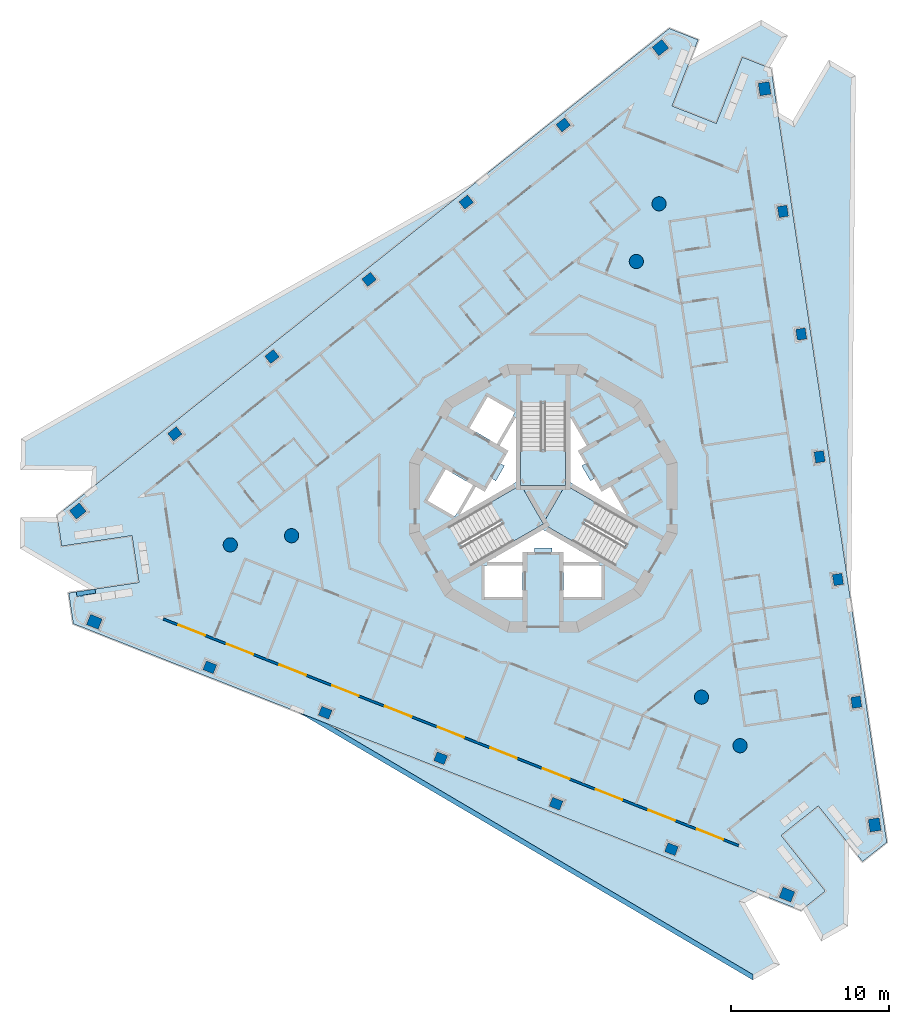
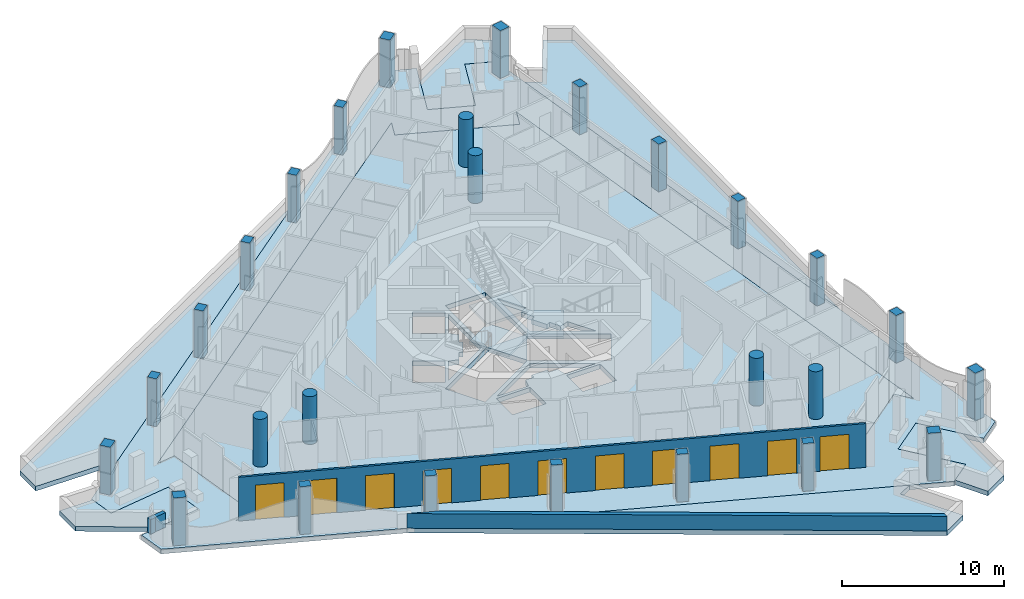
# One storey, part 1 of 16: 27 columns, 12 slabs, 11 doors, 3 walls, 11 openings, 3 elements without a shape of their own.
"""IFC4 building model written with IfcOpenShell, lengths in metres."""

from ifc_helpers import new_model, si_unit, direction, frame, frame_2d, origin, origin_2d, place, context, subcontext, project, spatial, polyline, rectangle, circle, outline, extrude, material, layer, layer_set, material_profile, profile_set, type_object, element, fill, aggregate, save


model = new_model("IFC4")

# Units and contexts
model_context = context("Model", 3, precision=1e-05, world=origin(), true_north=direction((0.0, 1.0)))
body_context = subcontext(model_context, "Body", "Model", "MODEL_VIEW")
ifc_project = project(units=[si_unit("LENGTHUNIT", "METRE"), si_unit("AREAUNIT", "SQUARE_METRE"), si_unit("VOLUMEUNIT", "CUBIC_METRE"), si_unit("PLANEANGLEUNIT", "RADIAN"), si_unit("MASSUNIT", "GRAM", prefix="KILO")], contexts=[model_context])

# Site, building, storey
site_placement = place(None, origin())
site = spatial("IfcSite", under=ifc_project, at=site_placement, CompositionType="ELEMENT")
building_placement = place(site_placement, origin())
building = spatial("IfcBuilding", under=site, at=building_placement, Name="Trine Commons Tower", CompositionType="ELEMENT")
storey_placement = place(building_placement, frame((0.0, 0.0, 198.0)))
storey = spatial("IfcBuildingStorey", under=building, at=storey_placement, Name="L51", CompositionType="ELEMENT", Elevation=198.0)

# Columns
ifc_material_1 = material(Name="Concrete C60/75", Category="concrete")
ifc_material_profile_1 = material_profile(ifc_material_1, rectangle(XDim=0.699951171875, YDim=0.60009765625, at=origin_2d()), Name="RC 700x600")
ifc_profile_set_1 = profile_set([ifc_material_profile_1], Name="Concrete C60/75")
column_type_1 = type_object("IfcColumnType", Name="RC column 700x600, C60/75", PredefinedType="COLUMN", material=ifc_profile_set_1)
for number, where, z_axis, x_axis, name in (
    (1, (88.125, 40.285888671875, -0.35009765625), (0.0, 0.0, 1.0), (-0.930417567982, 0.366501226724, 0.0), "Column PC6-02 L51"),
    (2, (80.82080078125, 43.1630859375, -0.35009765625), (0.0, 0.0, 1.0), (-0.930417567982, 0.366501226724, 0.0), "Column PC6-03 L51"),
    (3, (73.516357421875, 46.04052734375, -0.35009765625), (0.0, 0.0, 1.0), (-0.930417567982, 0.366501226724, 0.0), "Column PC6-04 L51"),
    (4, (66.212158203125, 48.917724609375, -0.35009765625), (0.0, 0.0, 1.0), (-0.930417567982, 0.366501226724, 0.0), "Column PC6-05 L51"),
    (5, (58.90771484375, 51.794921875, -0.35009765625), (0.0, 0.0, 1.0), (-0.930417567982, 0.366501226724, 0.0), "Column PC6-06 L51"),
    (6, (56.699462890625, 66.570556640625, -0.35009765625), (0.0, 0.0, 1.0), (0.782608156852, 0.622514636638, 0.0), "Column PC6-09 L51"),
    (7, (62.843505859375, 71.45751953125, -0.35009765625), (0.0, 0.0, 1.0), (0.782608156852, 0.622514636638, 0.0), "Column PC6-10 L51"),
    (8, (68.9873046875, 76.3447265625, -0.35009765625), (0.0, 0.0, 1.0), (0.782608156852, 0.622514636638, 0.0), "Column PC6-11 L51"),
    (9, (75.13134765625, 81.231689453125, -0.35009765625), (0.0, 0.0, 1.0), (0.782608156852, 0.622514636638, 0.0), "Column PC6-12 L51"),
    (10, (81.275390625, 86.118896484375, -0.35009765625), (0.0, 0.0, 1.0), (0.782608156852, 0.622514636638, 0.0), "Column PC6-13 L51"),
    (11, (95.17529296875, 80.6435546875, -0.35009765625), (0.0, 0.0, 1.0), (-0.14780941113, 0.989015863362, 0.0), "Column PC6-16 L51"),
    (12, (96.335693359375, 72.879150390625, -0.35009765625), (0.0, 0.0, 1.0), (-0.14780941113, 0.989015863362, 0.0), "Column PC6-17 L51"),
    (13, (97.49609375, 65.11474609375, -0.35009765625), (0.0, 0.0, 1.0), (-0.14780941113, 0.989015863362, 0.0), "Column PC6-18 L51"),
    (14, (98.656494140625, 57.350341796875, -0.35009765625), (0.0, 0.0, 1.0), (-0.14780941113, 0.989015863362, 0.0), "Column PC6-19 L51"),
    (15, (99.81689453125, 49.586181640625, -0.35009765625), (0.0, 0.0, 1.0), (-0.14780941113, 0.989015863362, 0.0), "Column PC6-20 L51"),
):
    element("IfcColumn", number, at=place(storey_placement, frame(where, z_axis=z_axis, x_axis=x_axis)), inside=storey, type_object=column_type_1, Name=name, PredefinedType="COLUMN", context=body_context, shape_type="SweptSolid", body=[
        extrude(rectangle(XDim=0.699951171875, YDim=0.60009765625, at=origin_2d()), origin(), (0.0, 0.0, 1.0), 3.9501953125),
    ])
ifc_material_profile_2 = material_profile(ifc_material_1, rectangle(XDim=0.800048828125, YDim=0.699951171875, at=origin_2d()), Name="RC 800x700")
ifc_profile_set_2 = profile_set([ifc_material_profile_2], Name="Concrete C60/75")
column_type_2 = type_object("IfcColumnType", Name="RC column 800x700, C60/75", PredefinedType="COLUMN", material=ifc_profile_set_2)
for number, where, z_axis, x_axis, name in (
    (16, (95.429443359375, 37.40869140625, -0.35009765625), (0.0, 0.0, 1.0), (-0.930417567982, 0.366501226724, 0.0), "Column PC6-01 L51"),
    (17, (51.603515625, 54.67236328125, -0.35009765625), (0.0, 0.0, 1.0), (-0.930417567982, 0.366501226724, 0.0), "Column PC6-07 L51"),
    (18, (50.5556640625, 61.683349609375, -0.35009765625), (0.0, 0.0, 1.0), (0.782608156852, 0.622514636638, 0.0), "Column PC6-08 L51"),
    (19, (87.419189453125, 91.006103515625, -0.35009765625), (0.0, 0.0, 1.0), (0.782608156852, 0.622514636638, 0.0), "Column PC6-14 L51"),
    (20, (94.014892578125, 88.407958984375, -0.35009765625), (0.0, 0.0, 1.0), (-0.14780941113, 0.989015863362, 0.0), "Column PC6-15 L51"),
    (21, (100.977294921875, 41.82177734375, -0.35009765625), (0.0, 0.0, 1.0), (-0.14780941113, 0.989015863362, 0.0), "Column PC6-21 L51"),
):
    element("IfcColumn", number, at=place(storey_placement, frame(where, z_axis=z_axis, x_axis=x_axis)), inside=storey, type_object=column_type_2, Name=name, PredefinedType="COLUMN", context=body_context, shape_type="SweptSolid", body=[
        extrude(rectangle(XDim=0.800048828125, YDim=0.699951171875, at=origin_2d()), origin(), (0.0, 0.0, 1.0), 3.9501953125),
    ])
ifc_material_profile_3 = material_profile(ifc_material_1, circle(Radius=0.449951171875, at=origin_2d()), Name="RC round 900")
ifc_profile_set_3 = profile_set([ifc_material_profile_3], Name="Concrete C60/75")
column_type_3 = type_object("IfcColumnType", Name="RC round column 900 mm, C60/75", PredefinedType="COLUMN", material=ifc_profile_set_3)
for number, where, z_axis, x_axis, name in (
    (22, (90.018798828125, 49.90478515625, -0.35009765625), (0.0, 0.0, 1.0), (1.0, 0.0, 0.0), "Column WC6-1 L51"),
    (23, (92.461669921875, 46.83349609375, -0.35009765625), (0.0, 0.0, 1.0), (1.0, 0.0, 0.0), "Column WC6-2 L51"),
    (24, (85.8984375, 77.47412109375, -0.35009765625), (0.0, 0.0, 1.0), (1.0, 0.0, 0.0), "Column WC6-3 L51"),
    (25, (87.336669921875, 81.125244140625, -0.35009765625), (0.0, 0.0, 1.0), (1.0, 0.0, 0.0), "Column WC6-4 L51"),
    (26, (64.082763671875, 60.12109375, -0.35009765625), (0.0, 0.0, 1.0), (1.0, 0.0, 0.0), "Column WC6-5 L51"),
    (27, (60.20166015625, 59.541015625, -0.35009765625), (0.0, 0.0, 1.0), (1.0, 0.0, 0.0), "Column WC6-6 L51"),
):
    element("IfcColumn", number, at=place(storey_placement, frame(where, z_axis=z_axis, x_axis=x_axis)), inside=storey, type_object=column_type_3, Name=name, PredefinedType="COLUMN", context=body_context, shape_type="SweptSolid", body=[
        extrude(circle(Radius=0.449951171875, at=origin_2d()), origin(), (0.0, 0.0, 1.0), 3.9501953125),
    ])

# Slabs
ifc_material_2 = material(Name="Concrete C40/50", Category="concrete")
ifc_layer_1 = layer(ifc_material_2, 0.35009765625)
ifc_layer_set_1 = layer_set([ifc_layer_1], Name="Concrete C40/50")
slab_type_1 = type_object("IfcSlabType", Name="Loggia slab 350 mm, C40/50", PredefinedType="FLOOR", material=ifc_layer_set_1)
slab_1_placement = place(storey_placement, frame((0.0, 0.0, -0.35009765625)))
element("IfcSlab", 28, at=slab_1_placement, inside=storey, type_object=slab_type_1, Name="Loggia slab L51", PredefinedType="FLOOR", context=body_context, shape_type="SweptSolid", body=[
    extrude(outline(polyline([(101.748046875, 40.7236328125), (94.430908203125, 89.683349609375), (92.603515625, 90.4033203125), (90.954345703125, 86.21630859375), (88.1630859375, 87.31591796875), (89.812255859375, 91.502685546875), (87.98486328125, 92.22265625), (49.242919921875, 61.406005859375), (49.533203125, 59.46337890625), (53.98388671875, 60.12841796875), (54.42724609375, 57.16162109375), (49.976806640625, 56.496337890625), (50.26708984375, 54.5537109375), (96.325927734375, 36.41064453125), (97.86328125, 37.63330078125), (95.061767578125, 41.155029296875), (97.40966796875, 43.022705078125), (100.2109375, 39.5009765625), (101.748046875, 40.7236328125)]), holes=[polyline([(56.002685546875, 62.85693359375), (57.15576171875, 55.142578125), (55.825439453125, 54.94384765625), (92.52685546875, 40.48681640625), (91.689453125, 41.539306640625), (97.7939453125, 46.39501953125), (98.631103515625, 45.34228515625), (92.80078125, 84.355224609375), (92.3076171875, 83.103759765625), (85.050537109375, 85.96240234375), (85.54345703125, 87.2138671875), (54.672607421875, 62.658203125), (56.002685546875, 62.85693359375)])]), origin(), (0.0, 0.0, 1.0), 0.35009765625),
])
ifc_layer_2 = layer(ifc_material_2, 0.35009765625)
ifc_layer_set_2 = layer_set([ifc_layer_2], Name="Concrete C40/50")
slab_type_2 = type_object("IfcSlabType", Name="PT flat slab 350 mm, C40/50", PredefinedType="FLOOR", material=ifc_layer_set_2)
slab_2_placement = place(storey_placement, frame((0.0, 0.0, -0.35009765625)))
element("IfcSlab", 29, at=slab_2_placement, inside=storey, type_object=slab_type_2, Name="Floor slab L51", PredefinedType="FLOOR", context=body_context, shape_type="SweptSolid", body=[
    extrude(outline(polyline([(54.672607421875, 62.658203125), (56.002685546875, 62.85693359375), (57.15576171875, 55.142578125), (55.825439453125, 54.94384765625), (92.52685546875, 40.48681640625), (91.689453125, 41.539306640625), (97.7939453125, 46.39501953125), (98.631103515625, 45.34228515625), (92.80078125, 84.355224609375), (92.3076171875, 83.103759765625), (85.050537109375, 85.96240234375), (85.54345703125, 87.2138671875), (54.672607421875, 62.658203125)]), holes=[polyline([(78.699951171875, 56.25), (78.699951171875, 58.25), (76.300048828125, 58.25), (76.300048828125, 56.25), (78.699951171875, 56.25)]), polyline([(83.699951171875, 56.25), (83.699951171875, 58.25), (81.300048828125, 58.25), (81.300048828125, 56.25), (83.699951171875, 56.25)]), polyline([(81.300048828125, 58.449951171875), (83.56494140625, 58.449951171875), (80.0, 60.508056640625), (76.43505859375, 58.449951171875), (78.699951171875, 58.449951171875), (78.85009765625, 59.10009765625), (79.449951171875, 59.10009765625), (79.449951171875, 59.360107421875), (80.550048828125, 59.360107421875), (80.550048828125, 59.10009765625), (81.14990234375, 59.10009765625), (81.300048828125, 58.449951171875)]), polyline([(81.425048828125, 63.32275390625), (81.425048828125, 68.490478515625), (78.574951171875, 68.490478515625), (78.574951171875, 63.32275390625), (74.099609375, 60.73876953125), (75.5244140625, 58.2705078125), (80.0, 60.8544921875), (84.4755859375, 58.2705078125), (85.900390625, 60.73876953125), (81.425048828125, 63.32275390625)]), polyline([(72.687255859375, 62.333984375), (74.41943359375, 61.333984375), (75.5693359375, 63.325927734375), (73.83740234375, 64.325927734375), (72.687255859375, 62.333984375)]), polyline([(76.381103515625, 63.031005859375), (75.742919921875, 63.22607421875), (74.7099609375, 61.43798828125), (78.27490234375, 63.49609375), (78.27490234375, 67.612060546875), (77.242919921875, 65.823974609375), (77.73095703125, 65.368896484375), (77.3310546875, 64.676025390625), (77.555908203125, 64.5458984375), (77.006103515625, 63.593994140625), (76.781005859375, 63.722900390625), (76.381103515625, 63.031005859375)]), polyline([(82.993896484375, 63.593994140625), (82.444091796875, 64.5458984375), (82.72705078125, 64.7099609375), (82.281005859375, 65.549072265625), (82.757080078125, 65.823974609375), (81.72509765625, 67.612060546875), (81.72509765625, 63.49609375), (85.2900390625, 61.43798828125), (84.257080078125, 63.22607421875), (83.618896484375, 63.031005859375), (83.243896484375, 63.738037109375), (82.993896484375, 63.593994140625)]), polyline([(76.4873046875, 68.916015625), (75.33740234375, 66.924072265625), (77.0693359375, 65.924072265625), (78.219482421875, 67.916015625), (76.4873046875, 68.916015625)])]), origin(), (0.0, 0.0, 1.0), 0.35009765625),
])
slab_3_placement = place(storey_placement, frame((0.0, 0.0, -0.35009765625)))
element("IfcSlab", 30, at=slab_3_placement, inside=storey, type_object=slab_type_2, Name="Floor slab L51 2", PredefinedType="FLOOR", context=body_context, shape_type="SweptSolid", body=[
    extrude(outline(polyline([(81.38671875, 63.300537109375), (78.61328125, 63.300537109375), (80.0, 60.89892578125), (81.38671875, 63.300537109375)])), origin(), (0.0, 0.0, 1.0), 0.35009765625),
])
ifc_layer_3 = layer(ifc_material_2, 0.35009765625)
ifc_layer_set_3 = layer_set([ifc_layer_3], Name="Concrete C40/50")
slab_type_3 = type_object("IfcSlabType", Name="Roof slab 350 mm, C40/50", PredefinedType="ROOF", material=ifc_layer_set_3)
slab_4_placement = place(storey_placement, frame((0.0, 0.0, -0.35009765625)))
element("IfcSlab", 31, at=slab_4_placement, inside=storey, type_object=slab_type_3, Name="Roof slab L51 1", PredefinedType="ROOF", context=body_context, shape_type="SweptSolid", body=[
    extrude(outline(polyline([(51.349365234375, 56.701416015625), (54.42724609375, 57.16162109375), (53.98388671875, 60.12841796875), (49.533203125, 59.46337890625), (49.263427734375, 61.268310546875), (46.9130859375, 61.288818359375), (46.89599609375, 59.32470703125), (51.349365234375, 56.701416015625)])), origin(), (0.0, 0.0, 1.0), 0.35009765625),
])
slab_5_placement = place(storey_placement, frame((0.0, 0.0, -0.35009765625)))
element("IfcSlab", 32, at=slab_5_placement, inside=storey, type_object=slab_type_3, Name="Roof slab L51 2", PredefinedType="ROOF", context=body_context, shape_type="SweptSolid", body=[
    extrude(outline(polyline([(51.429443359375, 63.14501953125), (75.979248046875, 82.673095703125), (46.956298828125, 66.252685546875), (46.939208984375, 64.28857421875), (51.439208984375, 64.249267578125), (51.429443359375, 63.14501953125)])), origin(), (0.0, 0.0, 1.0), 0.35009765625),
])
slab_6_placement = place(storey_placement, frame((0.0, 0.0, -0.35009765625)))
element("IfcSlab", 33, at=slab_6_placement, inside=storey, type_object=slab_type_3, Name="Roof slab L51 3", PredefinedType="ROOF", context=body_context, shape_type="SweptSolid", body=[
    extrude(outline(polyline([(93.7265625, 37.4345703125), (64.5400390625, 48.931396484375), (93.27197265625, 32.007080078125), (94.9814453125, 32.974365234375), (92.765380859375, 36.890869140625), (93.7265625, 37.4345703125)])), origin(), (0.0, 0.0, 1.0), 0.35009765625),
])
slab_7_placement = place(storey_placement, frame((0.0, 0.0, -0.35009765625)))
element("IfcSlab", 34, at=slab_7_placement, inside=storey, type_object=slab_type_3, Name="Roof slab L51 4", PredefinedType="ROOF", context=body_context, shape_type="SweptSolid", body=[
    extrude(outline(polyline([(89.3037109375, 90.21142578125), (88.1630859375, 87.31591796875), (90.954345703125, 86.21630859375), (92.603515625, 90.4033203125), (94.301513671875, 89.734619140625), (95.494384765625, 91.759765625), (93.802001953125, 92.756591796875), (89.3037109375, 90.21142578125)])), origin(), (0.0, 0.0, 1.0), 0.35009765625),
])
slab_8_placement = place(storey_placement, frame((0.0, 0.0, -0.35009765625)))
element("IfcSlab", 35, at=slab_8_placement, inside=storey, type_object=slab_type_3, Name="Roof slab L51 5", PredefinedType="ROOF", context=body_context, shape_type="SweptSolid", body=[
    extrude(outline(polyline([(99.302001953125, 35.418701171875), (99.346923828125, 40.5869140625), (97.40966796875, 43.022705078125), (95.061767578125, 41.155029296875), (97.86328125, 37.63330078125), (96.43505859375, 36.497314453125), (97.592529296875, 34.45166015625), (99.302001953125, 35.418701171875)])), origin(), (0.0, 0.0, 1.0), 0.35009765625),
])
slab_9_placement = place(storey_placement, frame((0.0, 0.0, -0.35009765625)))
element("IfcSlab", 36, at=slab_9_placement, inside=storey, type_object=slab_type_3, Name="Roof slab L51 6", PredefinedType="ROOF", context=body_context, shape_type="SweptSolid", body=[
    extrude(outline(polyline([(94.843994140625, 86.920166015625), (99.480712890625, 55.8955078125), (99.771484375, 89.240234375), (98.079345703125, 90.237060546875), (95.79541015625, 86.35986328125), (94.843994140625, 86.920166015625)])), origin(), (0.0, 0.0, 1.0), 0.35009765625),
])

# Stair, slab
ifc_material_3 = material(Name="Concrete C50/60", Category="concrete")
stair_type = type_object("IfcStairType", Name="Exit stair, dog-leg, 24 risers of 150 mm", PredefinedType="HALF_TURN_STAIR", material=ifc_material_3)
stair_1_placement = place(storey_placement, origin())
stair_1 = element("IfcStair", 37, at=stair_1_placement, inside=storey, type_object=stair_type, Name="L51 Exit stair ST1C", PredefinedType="HALF_TURN_STAIR")
ifc_layer_4 = layer(ifc_material_3, 0.199951171875)
ifc_layer_set_4 = layer_set([ifc_layer_4], Name="Concrete C50/60")
slab_type_4 = type_object("IfcSlabType", Name="Stair landing slab 200 mm, C50/60", PredefinedType="LANDING", material=ifc_layer_set_4)
slab_10_placement = place(storey_placement, frame((0.0, 0.0, 1.60009765625)))
slab_10 = element("IfcSlab", 38, at=slab_10_placement, type_object=slab_type_4, Name="ST1C landing 1", PredefinedType="LANDING", context=body_context, shape_type="SweptSolid", body=[
    extrude(outline(polyline([(78.574951171875, 65.570556640625), (78.574951171875, 63.300537109375), (81.425048828125, 63.300537109375), (81.425048828125, 65.570556640625), (78.574951171875, 65.570556640625)])), origin(), (0.0, 0.0, 1.0), 0.199951171875),
])
aggregate(stair_1, [slab_10])

stair_2_placement = place(storey_placement, origin())
stair_2 = element("IfcStair", 39, at=stair_2_placement, inside=storey, type_object=stair_type, Name="L51 Exit stair ST2C", PredefinedType="HALF_TURN_STAIR")
slab_11_placement = place(storey_placement, frame((0.0, 0.0, 1.60009765625)))
slab_11 = element("IfcSlab", 40, at=slab_11_placement, type_object=slab_type_4, Name="ST2C landing 1", PredefinedType="LANDING", context=body_context, shape_type="SweptSolid", body=[
    extrude(outline(polyline([(78.05322265625, 59.730712890625), (80.019287109375, 60.86572265625), (78.59423828125, 63.333740234375), (76.628173828125, 62.19873046875), (78.05322265625, 59.730712890625)])), origin(), (0.0, 0.0, 1.0), 0.199951171875),
])
aggregate(stair_2, [slab_11])

stair_3_placement = place(storey_placement, origin())
stair_3 = element("IfcStair", 41, at=stair_3_placement, inside=storey, type_object=stair_type, Name="L51 Exit stair ST3C", PredefinedType="HALF_TURN_STAIR")
slab_12_placement = place(storey_placement, frame((0.0, 0.0, 1.60009765625)))
slab_12 = element("IfcSlab", 42, at=slab_12_placement, type_object=slab_type_4, Name="ST3C landing 1", PredefinedType="LANDING", context=body_context, shape_type="SweptSolid", body=[
    extrude(outline(polyline([(83.371826171875, 62.19873046875), (81.40576171875, 63.333740234375), (79.980712890625, 60.86572265625), (81.94677734375, 59.730712890625), (83.371826171875, 62.19873046875)])), origin(), (0.0, 0.0, 1.0), 0.199951171875),
])
aggregate(stair_3, [slab_12])

# Wall, openings, doors
ifc_material_4 = material(Name="Aluminium-framed insulated wall panel", Category="aluminium")
ifc_layer_5 = layer(ifc_material_4, 0.14990234375)
ifc_layer_set_5 = layer_set([ifc_layer_5], Name="Aluminium-framed insulated wall panel")
wall_type_1 = type_object("IfcWallType", Name="Glazed frame wall 150, EI 60", PredefinedType="SOLIDWALL", material=ifc_layer_set_5)
wall_1_placement = place(storey_placement, frame((92.513916015625, 40.4541015625, 0.0), z_axis=(0.0, 0.0, 1.0), x_axis=(-0.930417922313, 0.3665003272, 0.0)))
wall_1 = element("IfcWall", 43, at=wall_1_placement, inside=storey, type_object=wall_type_1, Name="Glazed frame wall F3", PredefinedType="SOLIDWALL", context=body_context, shape_type="SweptSolid", body=[
    extrude(outline(polyline([(0.1494140625, 0.074951171875), (0.1494140625, -0.074951171875), (39.296875, -0.074951171875), (39.296875, 0.074951171875), (0.1494140625, 0.074951171875)])), origin(), (0.0, 0.0, 1.0), 3.300048828125),
])
opening_1_placement = place(wall_1_placement, frame((1.193115234375, 0.0, 0.0)))
opening_1 = element("IfcOpeningElement", 44, at=opening_1_placement, cuts=wall_1, Name="Opening BD-6F3-01", PredefinedType="OPENING", context=body_context, shape_type="SweptSolid", body=[
    extrude(rectangle(XDim=1.800048828125, YDim=2.60009765625, at=frame_2d((0.89990234375, 1.300048828125))), frame((0.0, 0.0849609375, 0.0), z_axis=(0.0, -1.0, 0.0), x_axis=(1.0, 0.0, 0.0)), (0.0, 0.0, 1.0), 0.169921875),
])
opening_2_placement = place(wall_1_placement, frame((4.47900390625, 0.0, 0.0)))
opening_2 = element("IfcOpeningElement", 45, at=opening_2_placement, cuts=wall_1, Name="Opening BD-6F3-02", PredefinedType="OPENING", context=body_context, shape_type="SweptSolid", body=[
    extrude(rectangle(XDim=1.800048828125, YDim=2.60009765625, at=frame_2d((0.89990234375, 1.300048828125))), frame((0.0, 0.0849609375, 0.0), z_axis=(0.0, -1.0, 0.0), x_axis=(1.0, 0.0, 0.0)), (0.0, 0.0, 1.0), 0.169921875),
])
opening_3_placement = place(wall_1_placement, frame((8.06494140625, 0.0, 0.0)))
opening_3 = element("IfcOpeningElement", 46, at=opening_3_placement, cuts=wall_1, Name="Opening BD-6F3-03", PredefinedType="OPENING", context=body_context, shape_type="SweptSolid", body=[
    extrude(rectangle(XDim=1.800048828125, YDim=2.60009765625, at=frame_2d((0.89990234375, 1.300048828125))), frame((0.0, 0.0849609375, 0.0), z_axis=(0.0, -1.0, 0.0), x_axis=(1.0, 0.0, 0.0)), (0.0, 0.0, 1.0), 0.169921875),
])
opening_4_placement = place(wall_1_placement, frame((11.65087890625, 0.0, 0.0)))
opening_4 = element("IfcOpeningElement", 47, at=opening_4_placement, cuts=wall_1, Name="Opening BD-6F3-04", PredefinedType="OPENING", context=body_context, shape_type="SweptSolid", body=[
    extrude(rectangle(XDim=1.800048828125, YDim=2.60009765625, at=frame_2d((0.89990234375, 1.300048828125))), frame((0.0, 0.0849609375, 0.0), z_axis=(0.0, -1.0, 0.0), x_axis=(1.0, 0.0, 0.0)), (0.0, 0.0, 1.0), 0.169921875),
])
opening_5_placement = place(wall_1_placement, frame((15.237060546875, 0.0, 0.0)))
opening_5 = element("IfcOpeningElement", 48, at=opening_5_placement, cuts=wall_1, Name="Opening BD-6F3-05", PredefinedType="OPENING", context=body_context, shape_type="SweptSolid", body=[
    extrude(rectangle(XDim=1.800048828125, YDim=2.60009765625, at=frame_2d((0.89990234375, 1.300048828125))), frame((0.0, 0.0849609375, 0.0), z_axis=(0.0, -1.0, 0.0), x_axis=(1.0, 0.0, 0.0)), (0.0, 0.0, 1.0), 0.169921875),
])
opening_6_placement = place(wall_1_placement, frame((18.822998046875, 0.0, 0.0)))
opening_6 = element("IfcOpeningElement", 49, at=opening_6_placement, cuts=wall_1, Name="Opening BD-6F3-06", PredefinedType="OPENING", context=body_context, shape_type="SweptSolid", body=[
    extrude(rectangle(XDim=1.800048828125, YDim=2.60009765625, at=frame_2d((0.89990234375, 1.300048828125))), frame((0.0, 0.0849609375, 0.0), z_axis=(0.0, -1.0, 0.0), x_axis=(1.0, 0.0, 0.0)), (0.0, 0.0, 1.0), 0.169921875),
])
opening_7_placement = place(wall_1_placement, frame((22.408935546875, 0.0, 0.0)))
opening_7 = element("IfcOpeningElement", 50, at=opening_7_placement, cuts=wall_1, Name="Opening BD-6F3-07", PredefinedType="OPENING", context=body_context, shape_type="SweptSolid", body=[
    extrude(rectangle(XDim=1.800048828125, YDim=2.60009765625, at=frame_2d((0.89990234375, 1.300048828125))), frame((0.0, 0.0849609375, 0.0), z_axis=(0.0, -1.0, 0.0), x_axis=(1.0, 0.0, 0.0)), (0.0, 0.0, 1.0), 0.169921875),
])
opening_8_placement = place(wall_1_placement, frame((25.9951171875, 0.0, 0.0)))
opening_8 = element("IfcOpeningElement", 51, at=opening_8_placement, cuts=wall_1, Name="Opening BD-6F3-08", PredefinedType="OPENING", context=body_context, shape_type="SweptSolid", body=[
    extrude(rectangle(XDim=1.800048828125, YDim=2.60009765625, at=frame_2d((0.89990234375, 1.300048828125))), frame((0.0, 0.0849609375, 0.0), z_axis=(0.0, -1.0, 0.0), x_axis=(1.0, 0.0, 0.0)), (0.0, 0.0, 1.0), 0.169921875),
])
opening_9_placement = place(wall_1_placement, frame((29.5810546875, 0.0, 0.0)))
opening_9 = element("IfcOpeningElement", 52, at=opening_9_placement, cuts=wall_1, Name="Opening BD-6F3-09", PredefinedType="OPENING", context=body_context, shape_type="SweptSolid", body=[
    extrude(rectangle(XDim=1.800048828125, YDim=2.60009765625, at=frame_2d((0.89990234375, 1.300048828125))), frame((0.0, 0.0849609375, 0.0), z_axis=(0.0, -1.0, 0.0), x_axis=(1.0, 0.0, 0.0)), (0.0, 0.0, 1.0), 0.169921875),
])
opening_10_placement = place(wall_1_placement, frame((33.1669921875, 0.0, 0.0)))
opening_10 = element("IfcOpeningElement", 53, at=opening_10_placement, cuts=wall_1, Name="Opening BD-6F3-10", PredefinedType="OPENING", context=body_context, shape_type="SweptSolid", body=[
    extrude(rectangle(XDim=1.800048828125, YDim=2.60009765625, at=frame_2d((0.89990234375, 1.300048828125))), frame((0.0, 0.0849609375, 0.0), z_axis=(0.0, -1.0, 0.0), x_axis=(1.0, 0.0, 0.0)), (0.0, 0.0, 1.0), 0.169921875),
])
opening_11_placement = place(wall_1_placement, frame((36.452880859375, 0.0, 0.0)))
opening_11 = element("IfcOpeningElement", 54, at=opening_11_placement, cuts=wall_1, Name="Opening BD-6F3-11", PredefinedType="OPENING", context=body_context, shape_type="SweptSolid", body=[
    extrude(rectangle(XDim=1.800048828125, YDim=2.60009765625, at=frame_2d((0.89990234375, 1.300048828125))), frame((0.0, 0.0849609375, 0.0), z_axis=(0.0, -1.0, 0.0), x_axis=(1.0, 0.0, 0.0)), (0.0, 0.0, 1.0), 0.169921875),
])
ifc_material_5 = material(Name="Anodised aluminium frame with double glazing", Category="aluminium")
door_type = type_object("IfcDoorType", Name="Sliding loggia door 1800x2600", OperationType="SLIDING_TO_LEFT", PredefinedType="DOOR", material=ifc_material_5)
door_1_placement = place(opening_1_placement, origin())
door_1 = element("IfcDoor", 55, at=door_1_placement, inside=storey, type_object=door_type, Name="Loggia door F3 1", OperationType="SLIDING_TO_LEFT", OverallHeight=2.60009765625, OverallWidth=1.800048828125, PredefinedType="DOOR", context=body_context, shape_type="SweptSolid", body=[
    extrude(rectangle(XDim=1.800048828125, YDim=2.60009765625, at=frame_2d((0.89990234375, 1.300048828125))), frame((0.0, 0.02490234375, 0.0), z_axis=(0.0, -1.0, 0.0), x_axis=(1.0, 0.0, 0.0)), (0.0, 0.0, 1.0), 0.050048828125),
])
fill(opening_1, door_1)
door_2_placement = place(opening_2_placement, origin())
door_2 = element("IfcDoor", 56, at=door_2_placement, inside=storey, type_object=door_type, Name="Loggia door F3 2", OperationType="SLIDING_TO_LEFT", OverallHeight=2.60009765625, OverallWidth=1.800048828125, PredefinedType="DOOR", context=body_context, shape_type="SweptSolid", body=[
    extrude(rectangle(XDim=1.800048828125, YDim=2.60009765625, at=frame_2d((0.89990234375, 1.300048828125))), frame((0.0, 0.02490234375, 0.0), z_axis=(0.0, -1.0, 0.0), x_axis=(1.0, 0.0, 0.0)), (0.0, 0.0, 1.0), 0.050048828125),
])
fill(opening_2, door_2)
door_3_placement = place(opening_3_placement, origin())
door_3 = element("IfcDoor", 57, at=door_3_placement, inside=storey, type_object=door_type, Name="Loggia door F3 3", OperationType="SLIDING_TO_LEFT", OverallHeight=2.60009765625, OverallWidth=1.800048828125, PredefinedType="DOOR", context=body_context, shape_type="SweptSolid", body=[
    extrude(rectangle(XDim=1.800048828125, YDim=2.60009765625, at=frame_2d((0.89990234375, 1.300048828125))), frame((0.0, 0.02490234375, 0.0), z_axis=(0.0, -1.0, 0.0), x_axis=(1.0, 0.0, 0.0)), (0.0, 0.0, 1.0), 0.050048828125),
])
fill(opening_3, door_3)
door_4_placement = place(opening_4_placement, origin())
door_4 = element("IfcDoor", 58, at=door_4_placement, inside=storey, type_object=door_type, Name="Loggia door F3 4", OperationType="SLIDING_TO_LEFT", OverallHeight=2.60009765625, OverallWidth=1.800048828125, PredefinedType="DOOR", context=body_context, shape_type="SweptSolid", body=[
    extrude(rectangle(XDim=1.800048828125, YDim=2.60009765625, at=frame_2d((0.89990234375, 1.300048828125))), frame((0.0, 0.02490234375, 0.0), z_axis=(0.0, -1.0, 0.0), x_axis=(1.0, 0.0, 0.0)), (0.0, 0.0, 1.0), 0.050048828125),
])
fill(opening_4, door_4)
door_5_placement = place(opening_5_placement, origin())
door_5 = element("IfcDoor", 59, at=door_5_placement, inside=storey, type_object=door_type, Name="Loggia door F3 5", OperationType="SLIDING_TO_LEFT", OverallHeight=2.60009765625, OverallWidth=1.800048828125, PredefinedType="DOOR", context=body_context, shape_type="SweptSolid", body=[
    extrude(rectangle(XDim=1.800048828125, YDim=2.60009765625, at=frame_2d((0.89990234375, 1.300048828125))), frame((0.0, 0.02490234375, 0.0), z_axis=(0.0, -1.0, 0.0), x_axis=(1.0, 0.0, 0.0)), (0.0, 0.0, 1.0), 0.050048828125),
])
fill(opening_5, door_5)
door_6_placement = place(opening_6_placement, origin())
door_6 = element("IfcDoor", 60, at=door_6_placement, inside=storey, type_object=door_type, Name="Loggia door F3 6", OperationType="SLIDING_TO_LEFT", OverallHeight=2.60009765625, OverallWidth=1.800048828125, PredefinedType="DOOR", context=body_context, shape_type="SweptSolid", body=[
    extrude(rectangle(XDim=1.800048828125, YDim=2.60009765625, at=frame_2d((0.89990234375, 1.300048828125))), frame((0.0, 0.02490234375, 0.0), z_axis=(0.0, -1.0, 0.0), x_axis=(1.0, 0.0, 0.0)), (0.0, 0.0, 1.0), 0.050048828125),
])
fill(opening_6, door_6)
door_7_placement = place(opening_7_placement, origin())
door_7 = element("IfcDoor", 61, at=door_7_placement, inside=storey, type_object=door_type, Name="Loggia door F3 7", OperationType="SLIDING_TO_LEFT", OverallHeight=2.60009765625, OverallWidth=1.800048828125, PredefinedType="DOOR", context=body_context, shape_type="SweptSolid", body=[
    extrude(rectangle(XDim=1.800048828125, YDim=2.60009765625, at=frame_2d((0.89990234375, 1.300048828125))), frame((0.0, 0.02490234375, 0.0), z_axis=(0.0, -1.0, 0.0), x_axis=(1.0, 0.0, 0.0)), (0.0, 0.0, 1.0), 0.050048828125),
])
fill(opening_7, door_7)
door_8_placement = place(opening_8_placement, origin())
door_8 = element("IfcDoor", 62, at=door_8_placement, inside=storey, type_object=door_type, Name="Loggia door F3 8", OperationType="SLIDING_TO_LEFT", OverallHeight=2.60009765625, OverallWidth=1.800048828125, PredefinedType="DOOR", context=body_context, shape_type="SweptSolid", body=[
    extrude(rectangle(XDim=1.800048828125, YDim=2.60009765625, at=frame_2d((0.89990234375, 1.300048828125))), frame((0.0, 0.02490234375, 0.0), z_axis=(0.0, -1.0, 0.0), x_axis=(1.0, 0.0, 0.0)), (0.0, 0.0, 1.0), 0.050048828125),
])
fill(opening_8, door_8)
door_9_placement = place(opening_9_placement, origin())
door_9 = element("IfcDoor", 63, at=door_9_placement, inside=storey, type_object=door_type, Name="Loggia door F3 9", OperationType="SLIDING_TO_LEFT", OverallHeight=2.60009765625, OverallWidth=1.800048828125, PredefinedType="DOOR", context=body_context, shape_type="SweptSolid", body=[
    extrude(rectangle(XDim=1.800048828125, YDim=2.60009765625, at=frame_2d((0.89990234375, 1.300048828125))), frame((0.0, 0.02490234375, 0.0), z_axis=(0.0, -1.0, 0.0), x_axis=(1.0, 0.0, 0.0)), (0.0, 0.0, 1.0), 0.050048828125),
])
fill(opening_9, door_9)
door_10_placement = place(opening_10_placement, origin())
door_10 = element("IfcDoor", 64, at=door_10_placement, inside=storey, type_object=door_type, Name="Loggia door F3 10", OperationType="SLIDING_TO_LEFT", OverallHeight=2.60009765625, OverallWidth=1.800048828125, PredefinedType="DOOR", context=body_context, shape_type="SweptSolid", body=[
    extrude(rectangle(XDim=1.800048828125, YDim=2.60009765625, at=frame_2d((0.89990234375, 1.300048828125))), frame((0.0, 0.02490234375, 0.0), z_axis=(0.0, -1.0, 0.0), x_axis=(1.0, 0.0, 0.0)), (0.0, 0.0, 1.0), 0.050048828125),
])
fill(opening_10, door_10)
door_11_placement = place(opening_11_placement, origin())
door_11 = element("IfcDoor", 65, at=door_11_placement, inside=storey, type_object=door_type, Name="Loggia door F3 11", OperationType="SLIDING_TO_LEFT", OverallHeight=2.60009765625, OverallWidth=1.800048828125, PredefinedType="DOOR", context=body_context, shape_type="SweptSolid", body=[
    extrude(rectangle(XDim=1.800048828125, YDim=2.60009765625, at=frame_2d((0.89990234375, 1.300048828125))), frame((0.0, 0.02490234375, 0.0), z_axis=(0.0, -1.0, 0.0), x_axis=(1.0, 0.0, 0.0)), (0.0, 0.0, 1.0), 0.050048828125),
])
fill(opening_11, door_11)

# Walls
ifc_material_6 = material(Name="Limestone, honed", Category="masonry")
ifc_layer_6 = layer(ifc_material_6, 0.300048828125)
ifc_layer_set_6 = layer_set([ifc_layer_6], Name="Limestone, honed")
wall_type_2 = type_object("IfcWallType", Name="Stone parapet 300", PredefinedType="PARAPET", material=ifc_layer_set_6)
wall_2_placement = place(storey_placement, origin())
element("IfcWall", 66, at=wall_2_placement, inside=storey, type_object=wall_type_2, Name="Sliver roof parapet extension L50 1.X2", PredefinedType="PARAPET", context=body_context, shape_type="SweptSolid", body=[
    extrude(outline(polyline([(51.685791015625, 56.478759765625), (51.64599609375, 56.745849609375), (50.826416015625, 56.623291015625), (50.459228515625, 56.568359375), (50.50341796875, 56.271728515625), (50.891357421875, 56.32958984375), (50.886962890625, 56.359375), (51.685791015625, 56.478759765625)])), origin(), (0.0, 0.0, 1.0), 1.10009765625),
])
wall_3_placement = place(storey_placement, origin())
element("IfcWall", 67, at=wall_3_placement, inside=storey, type_object=wall_type_2, Name="Sliver roof parapet L50 3.1", PredefinedType="PARAPET", context=body_context, shape_type="SweptSolid", body=[
    extrude(outline(polyline([(64.5400390625, 48.931396484375), (93.27197265625, 32.007080078125), (93.27490234375, 32.353515625), (66.32421875, 48.228759765625), (64.5400390625, 48.931396484375)])), origin(), (0.0, 0.0, 1.0), 1.10009765625),
])

save(model, "model.ifc")
